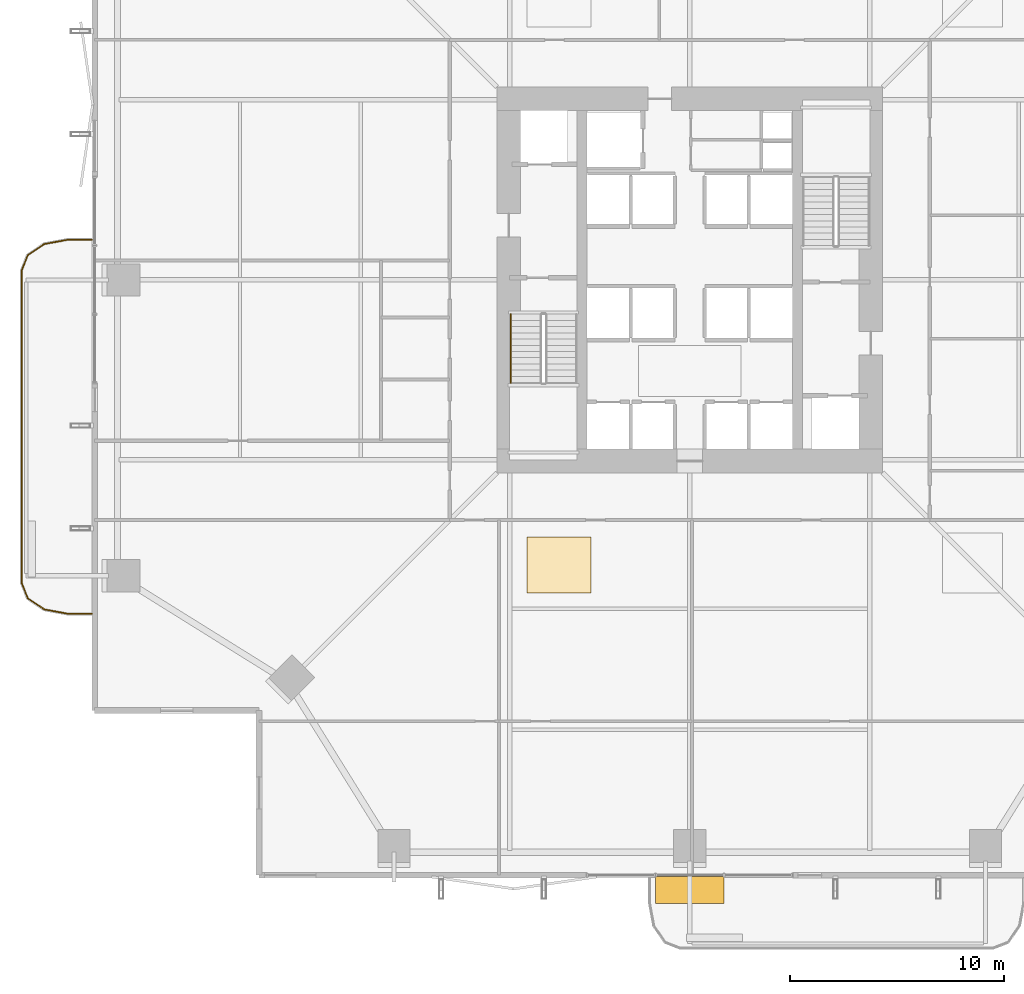
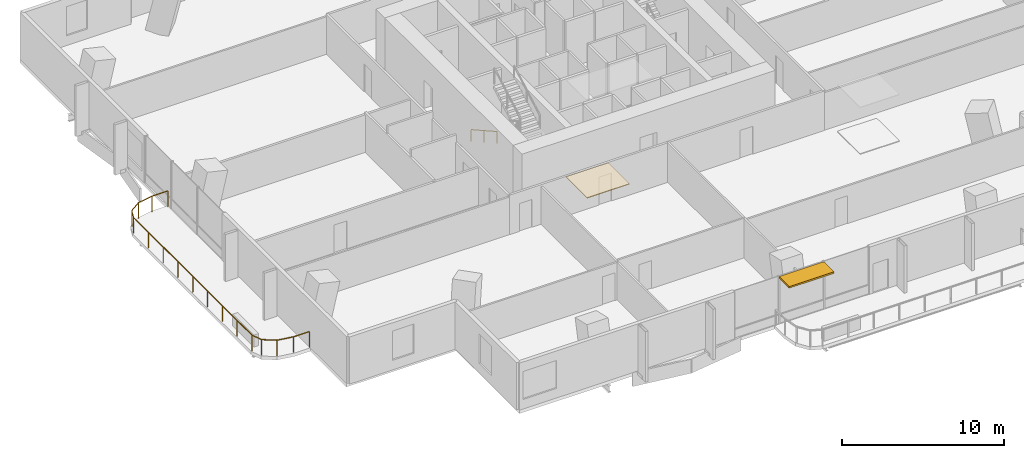
# One storey, part 21 of 24: 2 railings, 1 covering, 1 shading device.
"""IFC4 building model written with IfcOpenShell, lengths in metres."""

from ifc_helpers import new_model, si_unit, direction, frame, origin, origin_2d, place, context, subcontext, project, spatial, polyline, rectangle, outline, extrude, material, layer, layer_set, type_object, element, save


model = new_model("IFC4")

# Units and contexts
model_context = context("Model", 3, precision=1e-05, world=origin(), true_north=direction((0.0, 1.0)))
body_context = subcontext(model_context, "Body", "Model", "MODEL_VIEW")
ifc_project = project(units=[si_unit("LENGTHUNIT", "METRE"), si_unit("AREAUNIT", "SQUARE_METRE"), si_unit("VOLUMEUNIT", "CUBIC_METRE"), si_unit("PLANEANGLEUNIT", "RADIAN"), si_unit("MASSUNIT", "GRAM", prefix="KILO")], contexts=[model_context])

# Site, building, storey
site_placement = place(None, origin())
site = spatial("IfcSite", under=ifc_project, at=site_placement, CompositionType="ELEMENT")
building_placement = place(site_placement, origin())
building = spatial("IfcBuilding", under=site, at=building_placement, Name="Belovzor Exchange Tower", CompositionType="ELEMENT")
storey_placement = place(building_placement, frame((0.0, 0.0, 104.10009765625)))
storey = spatial("IfcBuildingStorey", under=building, at=storey_placement, Name="L25", CompositionType="ELEMENT", Elevation=104.10009765625)

# Railings
ifc_material_1 = material(Name="Stainless Steel Grade 304", Category="steel")
railing_type_1 = type_object("IfcRailingType", Name="Brushed Stainless Steel Stair Handrail 900", PredefinedType="HANDRAIL", material=ifc_material_1)
railing_1_placement = place(storey_placement, frame((20.449951171875, 27.199951171875, 0.162353515625)))
element("IfcRailing", 1, at=railing_1_placement, inside=storey, type_object=railing_type_1, Name="L25 ST-1 stair handrail 1", PredefinedType="HANDRAIL", context=body_context, shape_type="SweptSolid", body=[
    extrude(rectangle(XDim=0.048095703125, YDim=0.048095703125, at=origin_2d()), frame((0.0, 0.0, 0.8759765625), z_axis=(0.0, -0.8723625253, 0.488859514025), x_axis=(1.0, 0.0, 0.0)), (0.0, 0.0, 1.0), 3.65673828125),
    extrude(rectangle(XDim=0.0419921875, YDim=0.0419921875, at=origin_2d()), origin(), (0.0, 0.0, 1.0), 0.851806640625),
    extrude(rectangle(XDim=0.0419921875, YDim=0.0419921875, at=origin_2d()), frame((0.0, -1.594970703125, 0.893798828125)), (0.0, 0.0, 1.0), 0.851806640625),
    extrude(rectangle(XDim=0.0419921875, YDim=0.0419921875, at=origin_2d()), frame((0.0, -3.18994140625, 1.78759765625)), (0.0, 0.0, 1.0), 0.851806640625),
])
ifc_material_2 = material(Name="Stainless Steel and Laminated Safety Glass", Category="steel")
railing_type_2 = type_object("IfcRailingType", Name="Laminated Glass & Stainless Steel Balcony Balustrade 1200", PredefinedType="BALUSTRADE", material=ifc_material_2)
railing_2_placement = place(storey_placement, frame((0.889892578125, 30.669921875, 0.0)))
element("IfcRailing", 2, at=railing_2_placement, inside=storey, type_object=railing_type_2, Name="GR-1 Balcony Balustrade L25 West", PredefinedType="BALUSTRADE", context=body_context, shape_type="SweptSolid", body=[
    extrude(rectangle(XDim=0.048095703125, YDim=0.048095703125, at=origin_2d()), frame((0.0, 0.0, 1.17578125), z_axis=(-1.0, 0.0, 0.0), x_axis=(0.0, -1.0, 0.0)), (0.0, 0.0, 1.0), 1.1328125),
    extrude(rectangle(XDim=0.048095703125, YDim=0.048095703125, at=origin_2d()), frame((-1.1328125, 0.0, 1.17578125), z_axis=(-0.983651385113, -0.180083182347, 0.0), x_axis=(0.180083182347, -0.983651385113, 0.0)), (0.0, 0.0, 1.0), 1.093994140625),
    extrude(rectangle(XDim=0.048095703125, YDim=0.048095703125, at=origin_2d()), frame((-2.208984375, -0.197021484375, 1.17578125), z_axis=(-0.826614792125, -0.562768145367, 0.0), x_axis=(0.562768145367, -0.826614792125, 0.0)), (0.0, 0.0, 1.0), 0.9326171875),
    extrude(rectangle(XDim=0.048095703125, YDim=0.048095703125, at=origin_2d()), frame((-2.97998046875, -0.721923828125, 1.17578125), z_axis=(-0.365612923861, -0.930766990125, 0.0), x_axis=(0.930766990125, -0.365612923861, 0.0)), (0.0, 0.0, 1.0), 0.765869140625),
    extrude(rectangle(XDim=0.048095703125, YDim=0.048095703125, at=origin_2d()), frame((-3.260009765625, -1.434814453125, 1.17578125), z_axis=(0.0, -1.0, 0.0), x_axis=(1.0, 0.0, 0.0)), (0.0, 0.0, 1.0), 14.570068359375),
    extrude(rectangle(XDim=0.048095703125, YDim=0.048095703125, at=origin_2d()), frame((-3.260009765625, -16.0048828125, 1.17578125), z_axis=(0.365504480807, -0.930809580156, 0.0), x_axis=(0.930809580156, 0.365504480807, 0.0)), (0.0, 0.0, 1.0), 0.76611328125),
    extrude(rectangle(XDim=0.048095703125, YDim=0.048095703125, at=origin_2d()), frame((-2.97998046875, -16.718017578125, 1.17578125), z_axis=(0.826614792125, -0.562768145367, 0.0), x_axis=(0.562768145367, 0.826614792125, 0.0)), (0.0, 0.0, 1.0), 0.9326171875),
    extrude(rectangle(XDim=0.048095703125, YDim=0.048095703125, at=origin_2d()), frame((-2.208984375, -17.242919921875, 1.17578125), z_axis=(0.983651385113, -0.180083182347, 0.0), x_axis=(0.180083182347, 0.983651385113, 0.0)), (0.0, 0.0, 1.0), 1.093994140625),
    extrude(rectangle(XDim=0.048095703125, YDim=0.048095703125, at=origin_2d()), frame((-1.1328125, -17.43994140625, 1.17578125), z_axis=(1.0, 0.0, 0.0), x_axis=(0.0, 1.0, 0.0)), (0.0, 0.0, 1.0), 1.1328125),
    extrude(rectangle(XDim=0.0419921875, YDim=0.0419921875, at=origin_2d()), origin(), (0.0, 0.0, 1.0), 1.15185546875),
    extrude(rectangle(XDim=0.0419921875, YDim=0.0419921875, at=origin_2d()), frame((-1.1328125, 0.0, 0.0)), (0.0, 0.0, 1.0), 1.15185546875),
    extrude(rectangle(XDim=0.0419921875, YDim=0.0419921875, at=origin_2d()), frame((-2.208984375, -0.197021484375, 0.0)), (0.0, 0.0, 1.0), 1.15185546875),
    extrude(rectangle(XDim=0.0419921875, YDim=0.0419921875, at=origin_2d()), frame((-2.97998046875, -0.721923828125, 0.0)), (0.0, 0.0, 1.0), 1.15185546875),
    extrude(rectangle(XDim=0.0419921875, YDim=0.0419921875, at=origin_2d()), frame((-3.260009765625, -1.434814453125, 0.0)), (0.0, 0.0, 1.0), 1.15185546875),
    extrude(rectangle(XDim=0.0419921875, YDim=0.0419921875, at=origin_2d()), frame((-3.260009765625, -3.256103515625, 0.0)), (0.0, 0.0, 1.0), 1.15185546875),
    extrude(rectangle(XDim=0.0419921875, YDim=0.0419921875, at=origin_2d()), frame((-3.260009765625, -5.077392578125, 0.0)), (0.0, 0.0, 1.0), 1.15185546875),
    extrude(rectangle(XDim=0.0419921875, YDim=0.0419921875, at=origin_2d()), frame((-3.260009765625, -6.898681640625, 0.0)), (0.0, 0.0, 1.0), 1.15185546875),
    extrude(rectangle(XDim=0.0419921875, YDim=0.0419921875, at=origin_2d()), frame((-3.260009765625, -8.7197265625, 0.0)), (0.0, 0.0, 1.0), 1.15185546875),
    extrude(rectangle(XDim=0.0419921875, YDim=0.0419921875, at=origin_2d()), frame((-3.260009765625, -10.541015625, 0.0)), (0.0, 0.0, 1.0), 1.15185546875),
    extrude(rectangle(XDim=0.0419921875, YDim=0.0419921875, at=origin_2d()), frame((-3.260009765625, -12.3623046875, 0.0)), (0.0, 0.0, 1.0), 1.15185546875),
    extrude(rectangle(XDim=0.0419921875, YDim=0.0419921875, at=origin_2d()), frame((-3.260009765625, -14.18359375, 0.0)), (0.0, 0.0, 1.0), 1.15185546875),
    extrude(rectangle(XDim=0.0419921875, YDim=0.0419921875, at=origin_2d()), frame((-3.260009765625, -16.0048828125, 0.0)), (0.0, 0.0, 1.0), 1.15185546875),
    extrude(rectangle(XDim=0.0419921875, YDim=0.0419921875, at=origin_2d()), frame((-2.97998046875, -16.718017578125, 0.0)), (0.0, 0.0, 1.0), 1.15185546875),
    extrude(rectangle(XDim=0.0419921875, YDim=0.0419921875, at=origin_2d()), frame((-2.208984375, -17.242919921875, 0.0)), (0.0, 0.0, 1.0), 1.15185546875),
    extrude(rectangle(XDim=0.0419921875, YDim=0.0419921875, at=origin_2d()), frame((-1.1328125, -17.43994140625, 0.0)), (0.0, 0.0, 1.0), 1.15185546875),
    extrude(rectangle(XDim=0.0419921875, YDim=0.0419921875, at=origin_2d()), frame((0.0, -17.43994140625, 0.0)), (0.0, 0.0, 1.0), 1.15185546875),
])

# Covering
ifc_material_3 = material(Name="Perforated Powder-Coated Aluminium", Category="aluminium")
ifc_layer_1 = layer(ifc_material_3, 0.06005859375)
ifc_layer_set_1 = layer_set([ifc_layer_1], Name="Perforated Powder-Coated Aluminium")
covering_type = type_object("IfcCoveringType", Name="Perforated Acoustic Metal Tile Suspended Ceiling 60", PredefinedType="CEILING", material=ifc_layer_set_1)
covering_placement = place(storey_placement, frame((0.0, 0.0, 3.47998046875)))
element("IfcCovering", 3, at=covering_placement, inside=storey, type_object=covering_type, Name="CLG-AC60 Suspended Ceiling CLG-L25-Z0", PredefinedType="CEILING", context=body_context, shape_type="SweptSolid", body=[
    extrude(outline(polyline([(21.199951171875, 14.199951171875), (24.199951171875, 14.199951171875), (24.199951171875, 16.800048828125), (21.199951171875, 16.800048828125), (21.199951171875, 14.199951171875)])), origin(), (0.0, 0.0, 1.0), 0.059814453125),
])

# Shading device
ifc_material_4 = material(Name="Extruded Architectural Terracotta", Category="masonry")
ifc_layer_2 = layer(ifc_material_4, 0.1201171875)
ifc_layer_set_2 = layer_set([ifc_layer_2], Name="Extruded Architectural Terracotta")
shading_device_type = type_object("IfcShadingDeviceType", Name="Streamline Terracotta Horizontal Sunshade Hood 1250", PredefinedType="AWNING", material=ifc_layer_set_2)
shading_device_placement = place(storey_placement, frame((28.800048828125, 0.3349609375, 3.419921875), z_axis=(0.0, 0.0, 1.0), x_axis=(1.0, 0.0, 0.0)))
element("IfcShadingDevice", 4, at=shading_device_placement, inside=storey, type_object=shading_device_type, Name="SHD-TC125 Terracotta Sunshade L25 S", PredefinedType="AWNING", context=body_context, shape_type="SweptSolid", body=[
    extrude(rectangle(XDim=3.199951171875, YDim=1.25, at=origin_2d()), origin(), (0.0, 0.0, 1.0), 0.1201171875),
])

save(model, "model.ifc")
